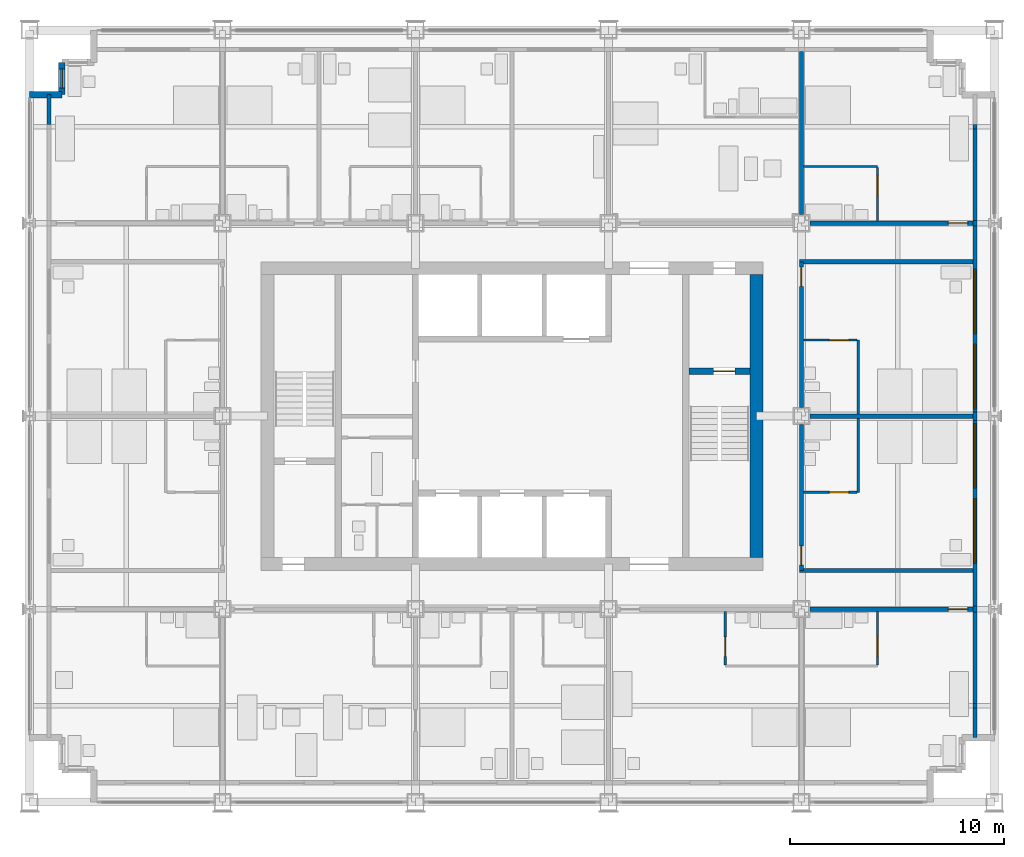
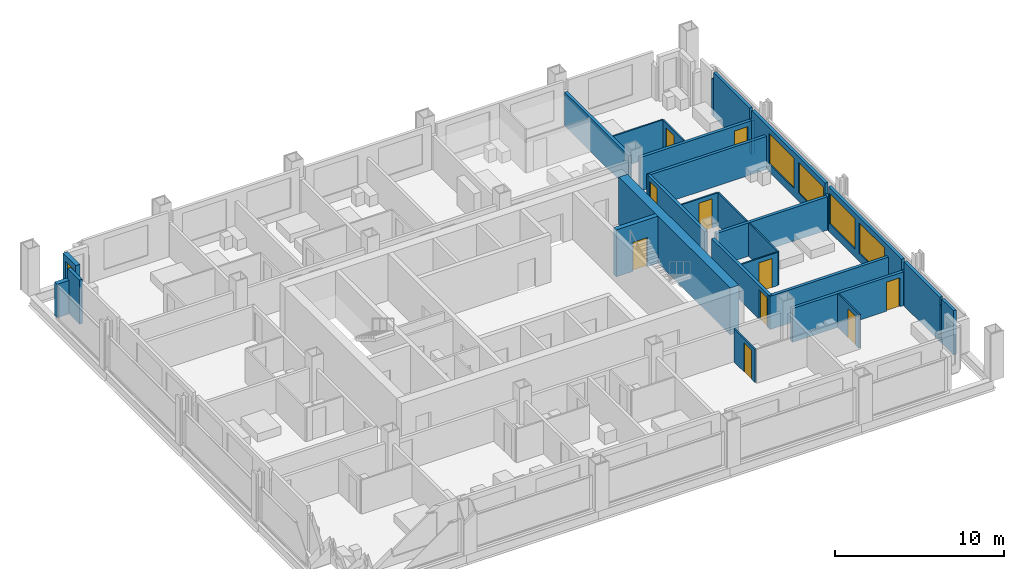
# One storey, part 12 of 16: 31 walls, 10 doors, 5 windows, 15 openings.
"""IFC4 building model written with IfcOpenShell, lengths in metres."""

from ifc_helpers import new_model, si_unit, direction, frame, frame_2d, origin, place, context, subcontext, project, spatial, rectangle, extrude, material, layer, layer_set, type_object, element, fill, save


model = new_model("IFC4")

# Units and contexts
model_context = context("Model", 3, precision=1e-05, world=origin(), true_north=direction((0.0, 1.0)))
body_context = subcontext(model_context, "Body", "Model", "MODEL_VIEW")
ifc_project = project(units=[si_unit("LENGTHUNIT", "METRE"), si_unit("AREAUNIT", "SQUARE_METRE"), si_unit("VOLUMEUNIT", "CUBIC_METRE"), si_unit("PLANEANGLEUNIT", "RADIAN"), si_unit("MASSUNIT", "GRAM", prefix="KILO")], contexts=[model_context])

# Site, building, storey
site_placement = place(None, origin())
site = spatial("IfcSite", under=ifc_project, at=site_placement, CompositionType="ELEMENT")
building_placement = place(site_placement, origin())
building = spatial("IfcBuilding", under=site, at=building_placement, Name="Loomwork Tower", CompositionType="ELEMENT")
storey_placement = place(building_placement, frame((0.0, 0.0, 135.0)))
storey = spatial("IfcBuildingStorey", under=building, at=storey_placement, Name="L36", CompositionType="ELEMENT", Elevation=135.0)

# Wall, opening, door
ifc_material_1 = material(Name="Concrete 14000 psi (97 MPa)", Category="concrete")
ifc_layer_1 = layer(ifc_material_1, 0.300048828125)
ifc_layer_set_1 = layer_set([ifc_layer_1], Name="Core shear wall 300")
wall_type_1 = type_object("IfcWallType", Name="Core shear wall 300", PredefinedType="SHEAR", material=ifc_layer_set_1)
wall_1_placement = place(storey_placement, frame((30.75, 20.10009765625, 0.0), z_axis=(0.0, 0.0, 1.0), x_axis=(1.0, 0.0, 0.0)))
wall_1 = element("IfcWall", 1, at=wall_1_placement, inside=storey, type_object=wall_type_1, Name="Stair B north wall L36", PredefinedType="SHEAR", context=body_context, shape_type="SweptSolid", body=[
    extrude(rectangle(XDim=2.85009765625, YDim=0.300048828125, at=frame_2d((1.425048828125, 0.0))), origin(), (0.0, 0.0, 1.0), 3.39990234375),
])
opening_1_placement = place(wall_1_placement, frame((1.14990234375, 0.0, 0.0)))
opening_1 = element("IfcOpeningElement", 2, at=opening_1_placement, cuts=wall_1, Name="Opening D4", PredefinedType="OPENING", context=body_context, shape_type="SweptSolid", body=[
    extrude(rectangle(XDim=1.0, YDim=2.10009765625, at=frame_2d((0.5, 1.050048828125))), frame((0.0, 0.159912109375, 0.0), z_axis=(0.0, -1.0, 0.0), x_axis=(1.0, 0.0, 0.0)), (0.0, 0.0, 1.0), 0.320068359375),
])
ifc_material_2 = material(Name="Hollow metal door and frame")
door_type_1 = type_object("IfcDoorType", Name="Stair door 1000", OperationType="SINGLE_SWING_RIGHT", PredefinedType="DOOR", material=ifc_material_2)
door_1_placement = place(opening_1_placement, frame((1.0, 0.0, 0.0), z_axis=(0.0, 0.0, 1.0), x_axis=(-1.0, 0.0, 0.0)))
door_1 = element("IfcDoor", 3, at=door_1_placement, inside=storey, type_object=door_type_1, Name="Stair B door", OperationType="SINGLE_SWING_LEFT", OverallHeight=2.10009765625, OverallWidth=1.0, PredefinedType="DOOR", context=body_context, shape_type="SweptSolid", body=[
    extrude(rectangle(XDim=1.0, YDim=2.10009765625, at=frame_2d((0.5, 1.050048828125))), frame((0.0, 0.02490234375, 0.0), z_axis=(0.0, -1.0, 0.0), x_axis=(1.0, 0.0, 0.0)), (0.0, 0.0, 1.0), 0.050048828125),
])
fill(opening_1, door_1)

# Wall
ifc_material_3 = material(Name="Concrete 14000 psi (97 MPa)", Category="concrete")
ifc_layer_2 = layer(ifc_material_3, 0.60009765625)
ifc_layer_set_2 = layer_set([ifc_layer_2], Name="Core shear wall 600")
wall_type_2 = type_object("IfcWallType", Name="Core shear wall 600", PredefinedType="SHEAR", material=ifc_layer_set_2)
wall_2_placement = place(storey_placement, frame((33.89990234375, 11.39990234375, 0.0), z_axis=(0.0, 0.0, 1.0), x_axis=(0.0, 1.0, 0.0)))
element("IfcWall", 4, at=wall_2_placement, inside=storey, type_object=wall_type_2, Name="Core wall east L36", PredefinedType="SHEAR", context=body_context, shape_type="SweptSolid", body=[
    extrude(rectangle(XDim=13.2001953125, YDim=0.60009765625, at=frame_2d((6.60009765625, 0.0))), origin(), (0.0, 0.0, 1.0), 3.39990234375),
])

# Wall, opening, door
ifc_material_4 = material(Name="Gypsum board on steel studs, one-hour", Category="steel")
ifc_layer_3 = layer(ifc_material_4, 0.199951171875)
ifc_layer_set_3 = layer_set([ifc_layer_3], Name="Corridor wall 200")
wall_type_3 = type_object("IfcWallType", Name="Corridor wall 200", PredefinedType="PARTITIONING", material=ifc_layer_set_3)
wall_3_placement = place(storey_placement, frame((36.39990234375, 9.0, 0.0), z_axis=(0.0, 0.0, 1.0), x_axis=(1.0, 0.0, 0.0)))
wall_3 = element("IfcWall", 5, at=wall_3_placement, inside=storey, type_object=wall_type_3, Name="South corridor wall 5", PredefinedType="PARTITIONING", context=body_context, shape_type="SweptSolid", body=[
    extrude(rectangle(XDim=7.60009765625, YDim=0.199951171875, at=frame_2d((3.800048828125, 0.0))), origin(), (0.0, 0.0, 1.0), 2.43798828125),
])
opening_2_placement = place(wall_3_placement, frame((6.449951171875, 0.0, 0.0)))
opening_2 = element("IfcOpeningElement", 6, at=opening_2_placement, cuts=wall_3, Name="Opening D1", PredefinedType="OPENING", context=body_context, shape_type="SweptSolid", body=[
    extrude(rectangle(XDim=0.89990234375, YDim=2.10009765625, at=frame_2d((0.449951171875, 1.050048828125))), frame((0.0, 0.10986328125, 0.0), z_axis=(0.0, -1.0, 0.0), x_axis=(1.0, 0.0, 0.0)), (0.0, 0.0, 1.0), 0.219970703125),
])
ifc_material_5 = material(Name="Hollow metal door and frame")
door_type_2 = type_object("IfcDoorType", Name="Guest room entry door 900", OperationType="SINGLE_SWING_LEFT", PredefinedType="DOOR", material=ifc_material_5)
door_2_placement = place(opening_2_placement, frame((0.89990234375, 0.0, 0.0), z_axis=(0.0, 0.0, 1.0), x_axis=(-1.0, 0.0, 0.0)))
door_2 = element("IfcDoor", 7, at=door_2_placement, inside=storey, type_object=door_type_2, Name="Guest room entry door L36 6", OperationType="SINGLE_SWING_LEFT", OverallHeight=2.10009765625, OverallWidth=0.89990234375, PredefinedType="DOOR", context=body_context, shape_type="SweptSolid", body=[
    extrude(rectangle(XDim=0.89990234375, YDim=2.10009765625, at=frame_2d((0.449951171875, 1.050048828125))), frame((0.0, 0.02490234375, 0.0), z_axis=(0.0, -1.0, 0.0), x_axis=(1.0, 0.0, 0.0)), (0.0, 0.0, 1.0), 0.050048828125),
])
fill(opening_2, door_2)

wall_4_placement = place(storey_placement, frame((36.39990234375, 27.0, 0.0), z_axis=(0.0, 0.0, 1.0), x_axis=(1.0, 0.0, 0.0)))
wall_4 = element("IfcWall", 8, at=wall_4_placement, inside=storey, type_object=wall_type_3, Name="North corridor wall 5", PredefinedType="PARTITIONING", context=body_context, shape_type="SweptSolid", body=[
    extrude(rectangle(XDim=7.60009765625, YDim=0.199951171875, at=frame_2d((3.800048828125, 0.0))), origin(), (0.0, 0.0, 1.0), 2.43798828125),
])
opening_3_placement = place(wall_4_placement, frame((6.449951171875, 0.0, 0.0)))
opening_3 = element("IfcOpeningElement", 9, at=opening_3_placement, cuts=wall_4, Name="Opening D1", PredefinedType="OPENING", context=body_context, shape_type="SweptSolid", body=[
    extrude(rectangle(XDim=0.89990234375, YDim=2.10009765625, at=frame_2d((0.449951171875, 1.050048828125))), frame((0.0, 0.10986328125, 0.0), z_axis=(0.0, -1.0, 0.0), x_axis=(1.0, 0.0, 0.0)), (0.0, 0.0, 1.0), 0.219970703125),
])
door_3_placement = place(opening_3_placement, origin())
door_3 = element("IfcDoor", 10, at=door_3_placement, inside=storey, type_object=door_type_2, Name="Guest room entry door L36 13", OperationType="SINGLE_SWING_RIGHT", OverallHeight=2.10009765625, OverallWidth=0.89990234375, PredefinedType="DOOR", context=body_context, shape_type="SweptSolid", body=[
    extrude(rectangle(XDim=0.89990234375, YDim=2.10009765625, at=frame_2d((0.449951171875, 1.050048828125))), frame((0.0, 0.02490234375, 0.0), z_axis=(0.0, -1.0, 0.0), x_axis=(1.0, 0.0, 0.0)), (0.0, 0.0, 1.0), 0.050048828125),
])
fill(opening_3, door_3)

wall_5_placement = place(storey_placement, frame((36.0, 10.800048828125, 0.0), z_axis=(0.0, 0.0, 1.0), x_axis=(0.0, 1.0, 0.0)))
wall_5 = element("IfcWall", 11, at=wall_5_placement, inside=storey, type_object=wall_type_3, Name="East corridor wall 1", PredefinedType="PARTITIONING", context=body_context, shape_type="SweptSolid", body=[
    extrude(rectangle(XDim=6.800048828125, YDim=0.199951171875, at=frame_2d((3.39990234375, 0.0))), origin(), (0.0, 0.0, 1.0), 2.405029296875),
])
opening_4_placement = place(wall_5_placement, frame((0.25, 0.0, 0.0)))
opening_4 = element("IfcOpeningElement", 12, at=opening_4_placement, cuts=wall_5, Name="Opening D1", PredefinedType="OPENING", context=body_context, shape_type="SweptSolid", body=[
    extrude(rectangle(XDim=0.89990234375, YDim=2.10009765625, at=frame_2d((0.449951171875, 1.050048828125))), frame((0.0, 0.10986328125, 0.0), z_axis=(0.0, -1.0, 0.0), x_axis=(1.0, 0.0, 0.0)), (0.0, 0.0, 1.0), 0.219970703125),
])
door_4_placement = place(opening_4_placement, frame((0.89990234375, 0.0, 0.0), z_axis=(0.0, 0.0, 1.0), x_axis=(-1.0, 0.0, 0.0)))
door_4 = element("IfcDoor", 13, at=door_4_placement, inside=storey, type_object=door_type_2, Name="Guest room entry door L36 16", OperationType="SINGLE_SWING_RIGHT", OverallHeight=2.10009765625, OverallWidth=0.89990234375, PredefinedType="DOOR", context=body_context, shape_type="SweptSolid", body=[
    extrude(rectangle(XDim=0.89990234375, YDim=2.10009765625, at=frame_2d((0.449951171875, 1.050048828125))), frame((0.0, 0.02490234375, 0.0), z_axis=(0.0, -1.0, 0.0), x_axis=(1.0, 0.0, 0.0)), (0.0, 0.0, 1.0), 0.050048828125),
])
fill(opening_4, door_4)

wall_6_placement = place(storey_placement, frame((36.0, 18.39990234375, 0.0), z_axis=(0.0, 0.0, 1.0), x_axis=(0.0, 1.0, 0.0)))
wall_6 = element("IfcWall", 14, at=wall_6_placement, inside=storey, type_object=wall_type_3, Name="East corridor wall 2", PredefinedType="PARTITIONING", context=body_context, shape_type="SweptSolid", body=[
    extrude(rectangle(XDim=6.800048828125, YDim=0.199951171875, at=frame_2d((3.39990234375, 0.0))), origin(), (0.0, 0.0, 1.0), 2.405029296875),
])
opening_5_placement = place(wall_6_placement, frame((5.64990234375, 0.0, 0.0)))
opening_5 = element("IfcOpeningElement", 15, at=opening_5_placement, cuts=wall_6, Name="Opening D1", PredefinedType="OPENING", context=body_context, shape_type="SweptSolid", body=[
    extrude(rectangle(XDim=0.89990234375, YDim=2.10009765625, at=frame_2d((0.449951171875, 1.050048828125))), frame((0.0, 0.10986328125, 0.0), z_axis=(0.0, -1.0, 0.0), x_axis=(1.0, 0.0, 0.0)), (0.0, 0.0, 1.0), 0.219970703125),
])
door_5_placement = place(opening_5_placement, frame((0.89990234375, 0.0, 0.0), z_axis=(0.0, 0.0, 1.0), x_axis=(-1.0, 0.0, 0.0)))
door_5 = element("IfcDoor", 16, at=door_5_placement, inside=storey, type_object=door_type_2, Name="Guest room entry door L36 17", OperationType="SINGLE_SWING_LEFT", OverallHeight=2.10009765625, OverallWidth=0.89990234375, PredefinedType="DOOR", context=body_context, shape_type="SweptSolid", body=[
    extrude(rectangle(XDim=0.89990234375, YDim=2.10009765625, at=frame_2d((0.449951171875, 1.050048828125))), frame((0.0, 0.02490234375, 0.0), z_axis=(0.0, -1.0, 0.0), x_axis=(1.0, 0.0, 0.0)), (0.0, 0.0, 1.0), 0.050048828125),
])
fill(opening_5, door_5)

# Walls
for number, where, z_axis, x_axis, name in (
    (17, (35.89990234375, 10.800048828125, 0.0), (0.0, 0.0, 1.0), (1.0, 0.0, 0.0), "East band end wall S"),
    (18, (35.89990234375, 25.199951171875, 0.0), (0.0, 0.0, 1.0), (1.0, 0.0, 0.0), "East band end wall N"),
):
    element("IfcWall", number, at=place(storey_placement, frame(where, z_axis=z_axis, x_axis=x_axis)), inside=storey, type_object=wall_type_3, Name=name, PredefinedType="PARTITIONING", context=body_context, shape_type="SweptSolid", body=[
        extrude(rectangle(XDim=8.10009765625, YDim=0.199951171875, at=frame_2d((4.050048828125, 0.0))), origin(), (0.0, 0.0, 1.0), 2.404052734375),
    ])

# Wall, opening, door
ifc_material_6 = material(Name="Cement board on steel studs", Category="steel")
ifc_layer_4 = layer(ifc_material_6, 0.10009765625)
ifc_layer_set_4 = layer_set([ifc_layer_4], Name="En-suite partition 100")
wall_type_4 = type_object("IfcWallType", Name="En-suite partition 100", PredefinedType="PARTITIONING", material=ifc_layer_set_4)
wall_7_placement = place(storey_placement, frame((32.449951171875, 8.89990234375, 0.0), z_axis=(0.0, 0.0, 1.0), x_axis=(0.0, -1.0, 0.0)))
wall_7 = element("IfcWall", 19, at=wall_7_placement, inside=storey, type_object=wall_type_4, Name="En-suite side wall L36 room 5", PredefinedType="PARTITIONING", context=body_context, shape_type="SweptSolid", body=[
    extrude(rectangle(XDim=2.5, YDim=0.10009765625, at=frame_2d((1.25, 0.0))), origin(), (0.0, 0.0, 1.0), 2.404052734375),
])
opening_6_placement = place(wall_7_placement, frame((1.199951171875, 0.0, 0.0)))
opening_6 = element("IfcOpeningElement", 20, at=opening_6_placement, cuts=wall_7, Name="Opening D2", PredefinedType="OPENING", context=body_context, shape_type="SweptSolid", body=[
    extrude(rectangle(XDim=0.89990234375, YDim=2.10009765625, at=frame_2d((0.449951171875, 1.050048828125))), frame((0.0, 0.06005859375, 0.0), z_axis=(0.0, -1.0, 0.0), x_axis=(1.0, 0.0, 0.0)), (0.0, 0.0, 1.0), 0.1201171875),
])
ifc_material_7 = material(Name="Hollow metal door and frame")
door_type_3 = type_object("IfcDoorType", Name="En-suite door 900", OperationType="SINGLE_SWING_LEFT", PredefinedType="DOOR", material=ifc_material_7)
door_6_placement = place(opening_6_placement, origin())
door_6 = element("IfcDoor", 21, at=door_6_placement, inside=storey, type_object=door_type_3, Name="En-suite door room 5", OperationType="SINGLE_SWING_RIGHT", OverallHeight=2.10009765625, OverallWidth=0.89990234375, PredefinedType="DOOR", context=body_context, shape_type="SweptSolid", body=[
    extrude(rectangle(XDim=0.89990234375, YDim=2.10009765625, at=frame_2d((0.449951171875, 1.050048828125))), frame((0.0, 0.02490234375, 0.0), z_axis=(0.0, -1.0, 0.0), x_axis=(1.0, 0.0, 0.0)), (0.0, 0.0, 1.0), 0.050048828125),
])
fill(opening_6, door_6)

wall_8_placement = place(storey_placement, frame((39.550048828125, 8.89990234375, 0.0), z_axis=(0.0, 0.0, 1.0), x_axis=(0.0, -1.0, 0.0)))
wall_8 = element("IfcWall", 22, at=wall_8_placement, inside=storey, type_object=wall_type_4, Name="En-suite side wall L36 room 6", PredefinedType="PARTITIONING", context=body_context, shape_type="SweptSolid", body=[
    extrude(rectangle(XDim=2.5, YDim=0.10009765625, at=frame_2d((1.25, 0.0))), origin(), (0.0, 0.0, 1.0), 2.43798828125),
])
opening_7_placement = place(wall_8_placement, frame((1.199951171875, 0.0, 0.0)))
opening_7 = element("IfcOpeningElement", 23, at=opening_7_placement, cuts=wall_8, Name="Opening D2", PredefinedType="OPENING", context=body_context, shape_type="SweptSolid", body=[
    extrude(rectangle(XDim=0.89990234375, YDim=2.10009765625, at=frame_2d((0.449951171875, 1.050048828125))), frame((0.0, 0.06005859375, 0.0), z_axis=(0.0, -1.0, 0.0), x_axis=(1.0, 0.0, 0.0)), (0.0, 0.0, 1.0), 0.1201171875),
])
door_7_placement = place(opening_7_placement, frame((0.89990234375, 0.0, 0.0), z_axis=(0.0, 0.0, 1.0), x_axis=(-1.0, 0.0, 0.0)))
door_7 = element("IfcDoor", 24, at=door_7_placement, inside=storey, type_object=door_type_3, Name="En-suite door room 6", OperationType="SINGLE_SWING_LEFT", OverallHeight=2.10009765625, OverallWidth=0.89990234375, PredefinedType="DOOR", context=body_context, shape_type="SweptSolid", body=[
    extrude(rectangle(XDim=0.89990234375, YDim=2.10009765625, at=frame_2d((0.449951171875, 1.050048828125))), frame((0.0, 0.02490234375, 0.0), z_axis=(0.0, -1.0, 0.0), x_axis=(1.0, 0.0, 0.0)), (0.0, 0.0, 1.0), 0.050048828125),
])
fill(opening_7, door_7)

# Wall
wall_9_placement = place(storey_placement, frame((36.10009765625, 29.64990234375, 0.0), z_axis=(0.0, 0.0, 1.0), x_axis=(1.0, 0.0, 0.0)))
element("IfcWall", 25, at=wall_9_placement, inside=storey, type_object=wall_type_4, Name="En-suite wall L36 room 13", PredefinedType="PARTITIONING", context=body_context, shape_type="SweptSolid", body=[
    extrude(rectangle(XDim=3.449951171875, YDim=0.10009765625, at=frame_2d((1.72509765625, 0.0))), origin(), (0.0, 0.0, 1.0), 2.43798828125),
])

# Wall, opening, door
wall_10_placement = place(storey_placement, frame((39.550048828125, 27.10009765625, 0.0), z_axis=(0.0, 0.0, 1.0), x_axis=(0.0, 1.0, 0.0)))
wall_10 = element("IfcWall", 26, at=wall_10_placement, inside=storey, type_object=wall_type_4, Name="En-suite side wall L36 room 13", PredefinedType="PARTITIONING", context=body_context, shape_type="SweptSolid", body=[
    extrude(rectangle(XDim=2.5, YDim=0.10009765625, at=frame_2d((1.25, 0.0))), origin(), (0.0, 0.0, 1.0), 2.43798828125),
])
opening_8_placement = place(wall_10_placement, frame((1.199951171875, 0.0, 0.0)))
opening_8 = element("IfcOpeningElement", 27, at=opening_8_placement, cuts=wall_10, Name="Opening D2", PredefinedType="OPENING", context=body_context, shape_type="SweptSolid", body=[
    extrude(rectangle(XDim=0.89990234375, YDim=2.10009765625, at=frame_2d((0.449951171875, 1.050048828125))), frame((0.0, 0.06005859375, 0.0), z_axis=(0.0, -1.0, 0.0), x_axis=(1.0, 0.0, 0.0)), (0.0, 0.0, 1.0), 0.1201171875),
])
door_8_placement = place(opening_8_placement, origin())
door_8 = element("IfcDoor", 28, at=door_8_placement, inside=storey, type_object=door_type_3, Name="En-suite door room 13", OperationType="SINGLE_SWING_RIGHT", OverallHeight=2.10009765625, OverallWidth=0.89990234375, PredefinedType="DOOR", context=body_context, shape_type="SweptSolid", body=[
    extrude(rectangle(XDim=0.89990234375, YDim=2.10009765625, at=frame_2d((0.449951171875, 1.050048828125))), frame((0.0, 0.02490234375, 0.0), z_axis=(0.0, -1.0, 0.0), x_axis=(1.0, 0.0, 0.0)), (0.0, 0.0, 1.0), 0.050048828125),
])
fill(opening_8, door_8)

# Wall
wall_11_placement = place(storey_placement, frame((38.64990234375, 14.449951171875, 0.0), z_axis=(0.0, 0.0, 1.0), x_axis=(0.0, 1.0, 0.0)))
element("IfcWall", 29, at=wall_11_placement, inside=storey, type_object=wall_type_4, Name="En-suite wall L36 room 16", PredefinedType="PARTITIONING", context=body_context, shape_type="SweptSolid", body=[
    extrude(rectangle(XDim=3.449951171875, YDim=0.10009765625, at=frame_2d((1.72509765625, 0.0))), origin(), (0.0, 0.0, 1.0), 2.404052734375),
])

# Wall, opening, door
wall_12_placement = place(storey_placement, frame((36.10009765625, 14.449951171875, 0.0), z_axis=(0.0, 0.0, 1.0), x_axis=(1.0, 0.0, 0.0)))
wall_12 = element("IfcWall", 30, at=wall_12_placement, inside=storey, type_object=wall_type_4, Name="En-suite side wall L36 room 16", PredefinedType="PARTITIONING", context=body_context, shape_type="SweptSolid", body=[
    extrude(rectangle(XDim=2.5, YDim=0.10009765625, at=frame_2d((1.25, 0.0))), origin(), (0.0, 0.0, 1.0), 2.404052734375),
])
opening_9_placement = place(wall_12_placement, frame((1.199951171875, 0.0, 0.0)))
opening_9 = element("IfcOpeningElement", 31, at=opening_9_placement, cuts=wall_12, Name="Opening D2", PredefinedType="OPENING", context=body_context, shape_type="SweptSolid", body=[
    extrude(rectangle(XDim=0.89990234375, YDim=2.10009765625, at=frame_2d((0.449951171875, 1.050048828125))), frame((0.0, 0.06005859375, 0.0), z_axis=(0.0, -1.0, 0.0), x_axis=(1.0, 0.0, 0.0)), (0.0, 0.0, 1.0), 0.1201171875),
])
door_9_placement = place(opening_9_placement, origin())
door_9 = element("IfcDoor", 32, at=door_9_placement, inside=storey, type_object=door_type_3, Name="En-suite door room 16", OperationType="SINGLE_SWING_RIGHT", OverallHeight=2.10009765625, OverallWidth=0.89990234375, PredefinedType="DOOR", context=body_context, shape_type="SweptSolid", body=[
    extrude(rectangle(XDim=0.89990234375, YDim=2.10009765625, at=frame_2d((0.449951171875, 1.050048828125))), frame((0.0, 0.02490234375, 0.0), z_axis=(0.0, -1.0, 0.0), x_axis=(1.0, 0.0, 0.0)), (0.0, 0.0, 1.0), 0.050048828125),
])
fill(opening_9, door_9)

# Wall
wall_13_placement = place(storey_placement, frame((38.64990234375, 18.10009765625, 0.0), z_axis=(0.0, 0.0, 1.0), x_axis=(0.0, 1.0, 0.0)))
element("IfcWall", 33, at=wall_13_placement, inside=storey, type_object=wall_type_4, Name="En-suite wall L36 room 17", PredefinedType="PARTITIONING", context=body_context, shape_type="SweptSolid", body=[
    extrude(rectangle(XDim=3.449951171875, YDim=0.10009765625, at=frame_2d((1.72509765625, 0.0))), origin(), (0.0, 0.0, 1.0), 2.404052734375),
])

# Wall, opening, door
wall_14_placement = place(storey_placement, frame((36.10009765625, 21.550048828125, 0.0), z_axis=(0.0, 0.0, 1.0), x_axis=(1.0, 0.0, 0.0)))
wall_14 = element("IfcWall", 34, at=wall_14_placement, inside=storey, type_object=wall_type_4, Name="En-suite side wall L36 room 17", PredefinedType="PARTITIONING", context=body_context, shape_type="SweptSolid", body=[
    extrude(rectangle(XDim=2.5, YDim=0.10009765625, at=frame_2d((1.25, 0.0))), origin(), (0.0, 0.0, 1.0), 2.404052734375),
])
opening_10_placement = place(wall_14_placement, frame((1.199951171875, 0.0, 0.0)))
opening_10 = element("IfcOpeningElement", 35, at=opening_10_placement, cuts=wall_14, Name="Opening D2", PredefinedType="OPENING", context=body_context, shape_type="SweptSolid", body=[
    extrude(rectangle(XDim=0.89990234375, YDim=2.10009765625, at=frame_2d((0.449951171875, 1.050048828125))), frame((0.0, 0.06005859375, 0.0), z_axis=(0.0, -1.0, 0.0), x_axis=(1.0, 0.0, 0.0)), (0.0, 0.0, 1.0), 0.1201171875),
])
door_10_placement = place(opening_10_placement, frame((0.89990234375, 0.0, 0.0), z_axis=(0.0, 0.0, 1.0), x_axis=(-1.0, 0.0, 0.0)))
door_10 = element("IfcDoor", 36, at=door_10_placement, inside=storey, type_object=door_type_3, Name="En-suite door room 17", OperationType="SINGLE_SWING_LEFT", OverallHeight=2.10009765625, OverallWidth=0.89990234375, PredefinedType="DOOR", context=body_context, shape_type="SweptSolid", body=[
    extrude(rectangle(XDim=0.89990234375, YDim=2.10009765625, at=frame_2d((0.449951171875, 1.050048828125))), frame((0.0, 0.02490234375, 0.0), z_axis=(0.0, -1.0, 0.0), x_axis=(1.0, 0.0, 0.0)), (0.0, 0.0, 1.0), 0.050048828125),
])
fill(opening_10, door_10)

# Walls
ifc_material_8 = material(Name="Gypsum board on steel studs, acoustic", Category="steel")
ifc_layer_5 = layer(ifc_material_8, 0.199951171875)
ifc_layer_set_5 = layer_set([ifc_layer_5], Name="Guest room party wall 200")
wall_type_5 = type_object("IfcWallType", Name="Guest room party wall 200", PredefinedType="PARTITIONING", material=ifc_layer_set_5)
wall_15_placement = place(storey_placement, frame((36.0, 27.39990234375, 0.0), z_axis=(0.0, 0.0, 1.0), x_axis=(0.0, 1.0, 0.0)))
element("IfcWall", 37, at=wall_15_placement, inside=storey, type_object=wall_type_5, Name="Guest room party wall N 36", PredefinedType="PARTITIONING", context=body_context, shape_type="SweptSolid", body=[
    extrude(rectangle(XDim=7.60009765625, YDim=0.199951171875, at=frame_2d((3.800048828125, 0.0))), origin(), (0.0, 0.0, 1.0), 2.43798828125),
])
wall_16_placement = place(storey_placement, frame((36.39990234375, 18.0, 0.0), z_axis=(0.0, 0.0, 1.0), x_axis=(1.0, 0.0, 0.0)))
element("IfcWall", 38, at=wall_16_placement, inside=storey, type_object=wall_type_5, Name="Guest room party wall E 18", PredefinedType="PARTITIONING", context=body_context, shape_type="SweptSolid", body=[
    extrude(rectangle(XDim=7.60009765625, YDim=0.199951171875, at=frame_2d((3.800048828125, 0.0))), origin(), (0.0, 0.0, 1.0), 2.405029296875),
])
ifc_material_9 = material(Name="Insulated steel stud wall with gypsum lining", Category="steel")
ifc_layer_6 = layer(ifc_material_9, 0.199951171875)
ifc_layer_set_6 = layer_set([ifc_layer_6], Name="Inner skin wall 200")
wall_type_6 = type_object("IfcWallType", Name="Inner skin wall 200", PredefinedType="SOLIDWALL", material=ifc_layer_set_6)
for number, where, z_axis, x_axis, name in (
    (39, (44.10009765625, 3.0, 0.0), (0.0, 0.0, 1.0), (0.0, 1.0, 0.0), "Inner skin wall E"),
    (40, (0.89990234375, 31.607421875, 0.0), (0.0, 0.0, 1.0), (0.0, 1.0, 0.0), "Inner skin wall W bay 11"),
):
    element("IfcWall", number, at=place(storey_placement, frame(where, z_axis=z_axis, x_axis=x_axis)), inside=storey, type_object=wall_type_6, Name=name, PredefinedType="SOLIDWALL", context=body_context, shape_type="SweptSolid", body=[
        extrude(rectangle(XDim=1.392578125, YDim=0.199951171875, at=frame_2d((0.6962890625, 0.0))), origin(), (0.0, 0.0, 1.0), 3.199951171875),
    ])
wall_17_placement = place(storey_placement, frame((44.10009765625, 4.392578125, 0.0), z_axis=(0.0, 0.0, 1.0), x_axis=(0.0, 1.0, 0.0)))
element("IfcWall", 41, at=wall_17_placement, inside=storey, type_object=wall_type_6, Name="Inner skin wall E bay 2", PredefinedType="SOLIDWALL", context=body_context, shape_type="SweptSolid", body=[
    extrude(rectangle(XDim=0.21484375, YDim=0.199951171875, at=frame_2d((0.107421875, 0.0))), origin(), (0.0, 0.0, 1.0), 2.660888671875),
])
wall_18_placement = place(storey_placement, frame((44.10009765625, 4.607421875, 0.0), z_axis=(0.0, 0.0, 1.0), x_axis=(0.0, 1.0, 0.0)))
element("IfcWall", 42, at=wall_18_placement, inside=storey, type_object=wall_type_6, Name="Inner skin wall E bay 3", PredefinedType="SOLIDWALL", context=body_context, shape_type="SweptSolid", body=[
    extrude(rectangle(XDim=4.25732421875, YDim=0.199951171875, at=frame_2d((2.128662109375, 0.0))), origin(), (0.0, 0.0, 1.0), 3.199951171875),
])
wall_19_placement = place(storey_placement, frame((44.10009765625, 8.86474609375, 0.0), z_axis=(0.0, 0.0, 1.0), x_axis=(0.0, 1.0, 0.0)))
element("IfcWall", 43, at=wall_19_placement, inside=storey, type_object=wall_type_6, Name="Inner skin wall E bay 4", PredefinedType="SOLIDWALL", context=body_context, shape_type="SweptSolid", body=[
    extrude(rectangle(XDim=0.2705078125, YDim=0.199951171875, at=frame_2d((0.13525390625, 0.0))), origin(), (0.0, 0.0, 1.0), 2.43798828125),
])

# Wall, openings, windows
wall_20_placement = place(storey_placement, frame((44.10009765625, 9.13525390625, 0.0), z_axis=(0.0, 0.0, 1.0), x_axis=(0.0, 1.0, 0.0)))
wall_20 = element("IfcWall", 44, at=wall_20_placement, inside=storey, type_object=wall_type_6, Name="Inner skin wall E bay 5", PredefinedType="SOLIDWALL", context=body_context, shape_type="SweptSolid", body=[
    extrude(rectangle(XDim=8.6708984375, YDim=0.199951171875, at=frame_2d((4.33544921875, 0.0))), origin(), (0.0, 0.0, 1.0), 3.199951171875),
])
opening_11_placement = place(wall_20_placement, frame((2.0146484375, 0.0, 0.60009765625)))
opening_11 = element("IfcOpeningElement", 45, at=opening_11_placement, cuts=wall_20, Name="Opening CH1", PredefinedType="OPENING", context=body_context, shape_type="SweptSolid", body=[
    extrude(rectangle(XDim=3.0, YDim=2.199951171875, at=frame_2d((1.5, 1.10009765625))), frame((0.0, 0.10986328125, 0.0), z_axis=(0.0, -1.0, 0.0), x_axis=(1.0, 0.0, 0.0)), (0.0, 0.0, 1.0), 0.219970703125),
])
opening_12_placement = place(wall_20_placement, frame((5.5146484375, 0.0, 0.60009765625)))
opening_12 = element("IfcOpeningElement", 46, at=opening_12_placement, cuts=wall_20, Name="Opening CH1", PredefinedType="OPENING", context=body_context, shape_type="SweptSolid", body=[
    extrude(rectangle(XDim=3.0, YDim=2.199951171875, at=frame_2d((1.5, 1.10009765625))), frame((0.0, 0.10986328125, 0.0), z_axis=(0.0, -1.0, 0.0), x_axis=(1.0, 0.0, 0.0)), (0.0, 0.0, 1.0), 0.219970703125),
])
ifc_material_10 = material(Name="Aluminium frame with clear insulated glass", Category="aluminium")
window_type_1 = type_object("IfcWindowType", Name="Chicago window 3000", PartitioningType="TRIPLE_PANEL_VERTICAL", PredefinedType="WINDOW", material=ifc_material_10)
window_1_placement = place(opening_11_placement, origin())
window_1 = element("IfcWindow", 47, at=window_1_placement, inside=storey, type_object=window_type_1, Name="Chicago window L36 bay 13", OverallHeight=2.199951171875, OverallWidth=3.0, PartitioningType="TRIPLE_PANEL_VERTICAL", PredefinedType="WINDOW", context=body_context, shape_type="SweptSolid", body=[
    extrude(rectangle(XDim=3.0, YDim=2.199951171875, at=frame_2d((1.5, 1.10009765625))), frame((0.0, 0.030029296875, 0.0), z_axis=(0.0, -1.0, 0.0), x_axis=(1.0, 0.0, 0.0)), (0.0, 0.0, 1.0), 0.06005859375),
])
fill(opening_11, window_1)
window_2_placement = place(opening_12_placement, origin())
window_2 = element("IfcWindow", 48, at=window_2_placement, inside=storey, type_object=window_type_1, Name="Chicago window L36 bay 13", OverallHeight=2.199951171875, OverallWidth=3.0, PartitioningType="TRIPLE_PANEL_VERTICAL", PredefinedType="WINDOW", context=body_context, shape_type="SweptSolid", body=[
    extrude(rectangle(XDim=3.0, YDim=2.199951171875, at=frame_2d((1.5, 1.10009765625))), frame((0.0, 0.030029296875, 0.0), z_axis=(0.0, -1.0, 0.0), x_axis=(1.0, 0.0, 0.0)), (0.0, 0.0, 1.0), 0.06005859375),
])
fill(opening_12, window_2)

# Wall
wall_21_placement = place(storey_placement, frame((44.10009765625, 17.80615234375, 0.0), z_axis=(0.0, 0.0, 1.0), x_axis=(0.0, 1.0, 0.0)))
element("IfcWall", 49, at=wall_21_placement, inside=storey, type_object=wall_type_6, Name="Inner skin wall E bay 6", PredefinedType="SOLIDWALL", context=body_context, shape_type="SweptSolid", body=[
    extrude(rectangle(XDim=0.3876953125, YDim=0.199951171875, at=frame_2d((0.19384765625, 0.0))), origin(), (0.0, 0.0, 1.0), 2.404052734375),
])

# Wall, openings, windows
wall_22_placement = place(storey_placement, frame((44.10009765625, 18.19384765625, 0.0), z_axis=(0.0, 0.0, 1.0), x_axis=(0.0, 1.0, 0.0)))
wall_22 = element("IfcWall", 50, at=wall_22_placement, inside=storey, type_object=wall_type_6, Name="Inner skin wall E bay 7", PredefinedType="SOLIDWALL", context=body_context, shape_type="SweptSolid", body=[
    extrude(rectangle(XDim=8.6708984375, YDim=0.199951171875, at=frame_2d((4.33544921875, 0.0))), origin(), (0.0, 0.0, 1.0), 3.199951171875),
])
opening_13_placement = place(wall_22_placement, frame((0.15625, 0.0, 0.60009765625)))
opening_13 = element("IfcOpeningElement", 51, at=opening_13_placement, cuts=wall_22, Name="Opening CH1", PredefinedType="OPENING", context=body_context, shape_type="SweptSolid", body=[
    extrude(rectangle(XDim=3.0, YDim=2.199951171875, at=frame_2d((1.5, 1.10009765625))), frame((0.0, 0.10986328125, 0.0), z_axis=(0.0, -1.0, 0.0), x_axis=(1.0, 0.0, 0.0)), (0.0, 0.0, 1.0), 0.219970703125),
])
opening_14_placement = place(wall_22_placement, frame((3.65625, 0.0, 0.60009765625)))
opening_14 = element("IfcOpeningElement", 52, at=opening_14_placement, cuts=wall_22, Name="Opening CH1", PredefinedType="OPENING", context=body_context, shape_type="SweptSolid", body=[
    extrude(rectangle(XDim=3.0, YDim=2.199951171875, at=frame_2d((1.5, 1.10009765625))), frame((0.0, 0.10986328125, 0.0), z_axis=(0.0, -1.0, 0.0), x_axis=(1.0, 0.0, 0.0)), (0.0, 0.0, 1.0), 0.219970703125),
])
window_3_placement = place(opening_13_placement, origin())
window_3 = element("IfcWindow", 53, at=window_3_placement, inside=storey, type_object=window_type_1, Name="Chicago window L36 bay 14", OverallHeight=2.199951171875, OverallWidth=3.0, PartitioningType="TRIPLE_PANEL_VERTICAL", PredefinedType="WINDOW", context=body_context, shape_type="SweptSolid", body=[
    extrude(rectangle(XDim=3.0, YDim=2.199951171875, at=frame_2d((1.5, 1.10009765625))), frame((0.0, 0.030029296875, 0.0), z_axis=(0.0, -1.0, 0.0), x_axis=(1.0, 0.0, 0.0)), (0.0, 0.0, 1.0), 0.06005859375),
])
fill(opening_13, window_3)
window_4_placement = place(opening_14_placement, origin())
window_4 = element("IfcWindow", 54, at=window_4_placement, inside=storey, type_object=window_type_1, Name="Chicago window L36 bay 14", OverallHeight=2.199951171875, OverallWidth=3.0, PartitioningType="TRIPLE_PANEL_VERTICAL", PredefinedType="WINDOW", context=body_context, shape_type="SweptSolid", body=[
    extrude(rectangle(XDim=3.0, YDim=2.199951171875, at=frame_2d((1.5, 1.10009765625))), frame((0.0, 0.030029296875, 0.0), z_axis=(0.0, -1.0, 0.0), x_axis=(1.0, 0.0, 0.0)), (0.0, 0.0, 1.0), 0.06005859375),
])
fill(opening_14, window_4)

# Walls
wall_23_placement = place(storey_placement, frame((44.10009765625, 26.86474609375, 0.0), z_axis=(0.0, 0.0, 1.0), x_axis=(0.0, 1.0, 0.0)))
element("IfcWall", 55, at=wall_23_placement, inside=storey, type_object=wall_type_6, Name="Inner skin wall E bay 8", PredefinedType="SOLIDWALL", context=body_context, shape_type="SweptSolid", body=[
    extrude(rectangle(XDim=0.2705078125, YDim=0.199951171875, at=frame_2d((0.13525390625, 0.0))), origin(), (0.0, 0.0, 1.0), 2.43798828125),
])
wall_24_placement = place(storey_placement, frame((44.10009765625, 27.13525390625, 0.0), z_axis=(0.0, 0.0, 1.0), x_axis=(0.0, 1.0, 0.0)))
element("IfcWall", 56, at=wall_24_placement, inside=storey, type_object=wall_type_6, Name="Inner skin wall E bay 9", PredefinedType="SOLIDWALL", context=body_context, shape_type="SweptSolid", body=[
    extrude(rectangle(XDim=4.25732421875, YDim=0.199951171875, at=frame_2d((2.128662109375, 0.0))), origin(), (0.0, 0.0, 1.0), 3.199951171875),
])
wall_25_placement = place(storey_placement, frame((44.10009765625, 31.392578125, 0.0), z_axis=(0.0, 0.0, 1.0), x_axis=(0.0, 1.0, 0.0)))
element("IfcWall", 57, at=wall_25_placement, inside=storey, type_object=wall_type_6, Name="Inner skin wall E bay 10", PredefinedType="SOLIDWALL", context=body_context, shape_type="SweptSolid", body=[
    extrude(rectangle(XDim=0.21484375, YDim=0.199951171875, at=frame_2d((0.107421875, 0.0))), origin(), (0.0, 0.0, 1.0), 2.660888671875),
])

# Wall, opening, window
ifc_material_11 = material(Name="Limestone on concrete masonry", Category="masonry")
ifc_layer_7 = layer(ifc_material_11, 0.300048828125)
ifc_layer_set_7 = layer_set([ifc_layer_7], Name="Limestone corner wall 300")
wall_type_7 = type_object("IfcWallType", Name="Limestone corner wall 300", PredefinedType="SOLIDWALL", material=ifc_layer_set_7)
wall_26_placement = place(storey_placement, frame((1.5, 34.5, 0.0), z_axis=(0.0, 0.0, 1.0), x_axis=(0.0, -1.0, 0.0)))
wall_26 = element("IfcWall", 58, at=wall_26_placement, inside=storey, type_object=wall_type_7, Name="Stone corner wall NW 3", PredefinedType="SOLIDWALL", context=body_context, shape_type="SweptSolid", body=[
    extrude(rectangle(XDim=1.5, YDim=0.300048828125, at=frame_2d((0.75, 0.0))), origin(), (0.0, 0.0, 1.0), 3.199951171875),
])
opening_15_placement = place(wall_26_placement, frame((0.300048828125, 0.0, 0.60009765625)))
opening_15 = element("IfcOpeningElement", 59, at=opening_15_placement, cuts=wall_26, Name="Opening CH2", PredefinedType="OPENING", context=body_context, shape_type="SweptSolid", body=[
    extrude(rectangle(XDim=0.89990234375, YDim=2.199951171875, at=frame_2d((0.449951171875, 1.10009765625))), frame((0.0, 0.159912109375, 0.0), z_axis=(0.0, -1.0, 0.0), x_axis=(1.0, 0.0, 0.0)), (0.0, 0.0, 1.0), 0.320068359375),
])
ifc_material_12 = material(Name="Aluminium frame with clear insulated glass", Category="aluminium")
window_type_2 = type_object("IfcWindowType", Name="Corner window 900", PartitioningType="SINGLE_PANEL", PredefinedType="WINDOW", material=ifc_material_12)
window_5_placement = place(opening_15_placement, origin())
window_5 = element("IfcWindow", 60, at=window_5_placement, inside=storey, type_object=window_type_2, Name="Corner window NW", OverallHeight=2.199951171875, OverallWidth=0.89990234375, PartitioningType="SINGLE_PANEL", PredefinedType="WINDOW", context=body_context, shape_type="SweptSolid", body=[
    extrude(rectangle(XDim=0.89990234375, YDim=2.199951171875, at=frame_2d((0.449951171875, 1.10009765625))), frame((0.0, 0.030029296875, 0.0), z_axis=(0.0, -1.0, 0.0), x_axis=(1.0, 0.0, 0.0)), (0.0, 0.0, 1.0), 0.06005859375),
])
fill(opening_15, window_5)

# Wall
wall_27_placement = place(storey_placement, frame((1.5, 33.0, 0.0), z_axis=(0.0, 0.0, 1.0), x_axis=(-1.0, 0.0, 0.0)))
element("IfcWall", 61, at=wall_27_placement, inside=storey, type_object=wall_type_7, Name="Stone corner wall NW 4", PredefinedType="SOLIDWALL", context=body_context, shape_type="SweptSolid", body=[
    extrude(rectangle(XDim=1.5, YDim=0.300048828125, at=frame_2d((0.75, 0.0))), origin(), (0.0, 0.0, 1.0), 2.419921875),
])

save(model, "model.ifc")
